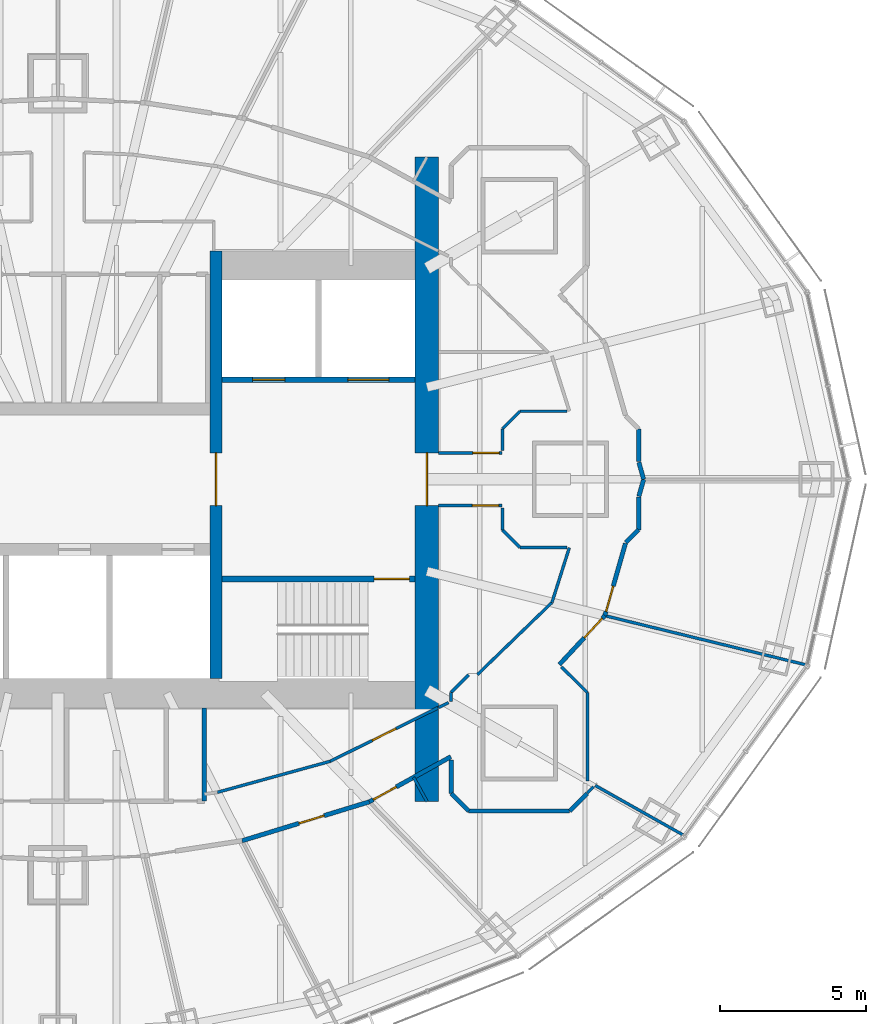
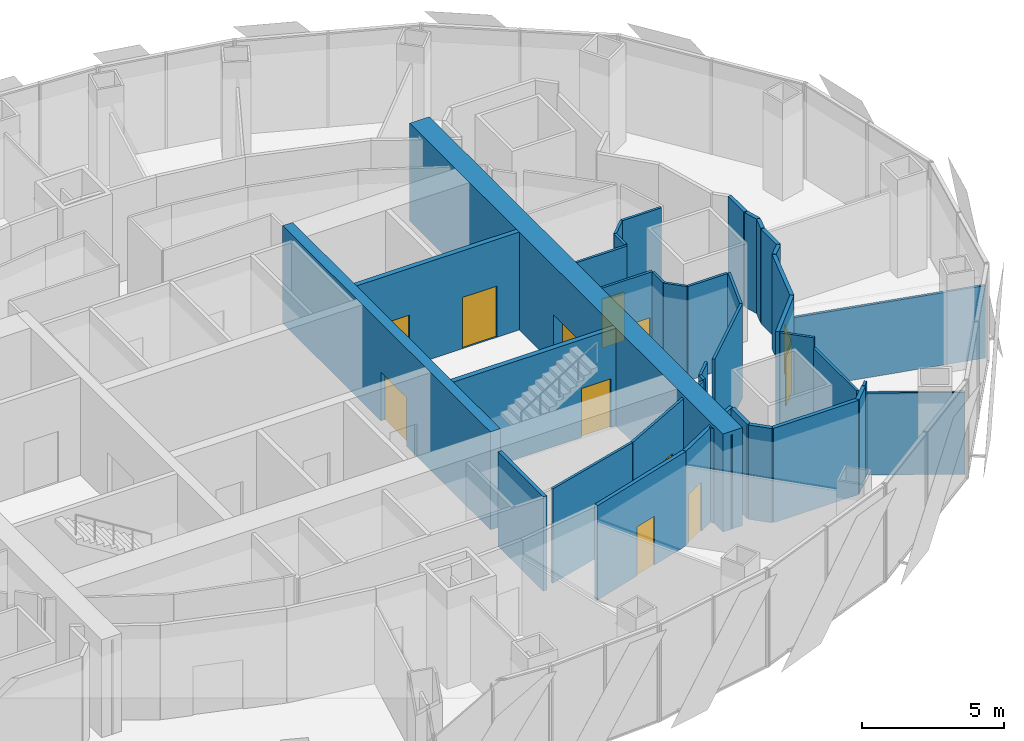
# One storey, part 14 of 19: 39 walls, 12 doors, 12 openings.
"""IFC4 building model written with IfcOpenShell, lengths in metres."""

from ifc_helpers import new_model, si_unit, direction, frame, frame_2d, origin, place, context, subcontext, project, spatial, rectangle, extrude, material, layer, layer_set, type_object, element, fill, save


model = new_model("IFC4")

# Units and contexts
model_context = context("Model", 3, precision=1e-05, world=origin(), true_north=direction((0.0, 1.0)))
body_context = subcontext(model_context, "Body", "Model", "MODEL_VIEW")
ifc_project = project(units=[si_unit("LENGTHUNIT", "METRE"), si_unit("AREAUNIT", "SQUARE_METRE"), si_unit("VOLUMEUNIT", "CUBIC_METRE"), si_unit("PLANEANGLEUNIT", "RADIAN"), si_unit("MASSUNIT", "GRAM", prefix="KILO")], contexts=[model_context])

# Site, building, storey
site_placement = place(None, origin())
site = spatial("IfcSite", under=ifc_project, at=site_placement, CompositionType="ELEMENT")
building_placement = place(site_placement, origin())
building = spatial("IfcBuilding", under=site, at=building_placement, Name="Lantaw Convention Tower", CompositionType="ELEMENT")
storey_placement = place(building_placement, frame((0.0, 0.0, 253.60009765625)))
storey = spatial("IfcBuildingStorey", under=building, at=storey_placement, Name="L59", CompositionType="ELEMENT", Elevation=253.60009765625)

# Wall, opening, door
ifc_material_1 = material(Name="Concrete C60/75", Category="concrete")
ifc_layer_1 = layer(ifc_material_1, 0.199951171875)
ifc_layer_set_1 = layer_set([ifc_layer_1], Name="Core wall 200")
wall_type_1 = type_object("IfcWallType", Name="Core wall 200", PredefinedType="SHEAR", material=ifc_layer_set_1)
wall_1_placement = place(storey_placement, frame((5.60009765625, -3.39990234375, 0.0), z_axis=(0.0, 0.0, 1.0), x_axis=(1.0, 0.0, 0.0)))
wall_1 = element("IfcWall", 1, at=wall_1_placement, inside=storey, type_object=wall_type_1, Name="Core wall ES", PredefinedType="SHEAR", context=body_context, shape_type="SweptSolid", body=[
    extrude(rectangle(XDim=6.599853515625, YDim=0.199951171875, at=frame_2d((3.2998046875, 0.0))), origin(), (0.0, 0.0, 1.0), 4.199951171875),
])
opening_1_placement = place(wall_1_placement, frame((5.199951171875, 0.0, 0.0)))
opening_1 = element("IfcOpeningElement", 2, at=opening_1_placement, cuts=wall_1, Name="Opening L59.03", PredefinedType="OPENING", context=body_context, shape_type="SweptSolid", body=[
    extrude(rectangle(XDim=1.199951171875, YDim=2.10009765625, at=frame_2d((0.60009765625, 1.050048828125))), frame((0.0, 0.10986328125, 0.0), z_axis=(0.0, -1.0, 0.0), x_axis=(1.0, 0.0, 0.0)), (0.0, 0.0, 1.0), 0.219970703125),
])
ifc_material_2 = material(Name="Steel, fire rated", Category="steel")
door_type_1 = type_object("IfcDoorType", Name="Stair door FD90", OperationType="SINGLE_SWING_RIGHT", PredefinedType="DOOR", material=ifc_material_2)
door_1_placement = place(opening_1_placement, origin())
door_1 = element("IfcDoor", 3, at=door_1_placement, inside=storey, type_object=door_type_1, Name="Exit stair door", OperationType="SINGLE_SWING_RIGHT", OverallHeight=2.10009765625, OverallWidth=1.199951171875, PredefinedType="DOOR", context=body_context, shape_type="SweptSolid", body=[
    extrude(rectangle(XDim=1.199951171875, YDim=2.10009765625, at=frame_2d((0.60009765625, 1.050048828125))), frame((0.0, 0.02490234375, 0.0), z_axis=(0.0, -1.0, 0.0), x_axis=(1.0, 0.0, 0.0)), (0.0, 0.0, 1.0), 0.050048828125),
])
fill(opening_1, door_1)

ifc_layer_2 = layer(ifc_material_1, 0.39990234375)
ifc_layer_set_2 = layer_set([ifc_layer_2], Name="Core wall 400")
wall_type_2 = type_object("IfcWallType", Name="Core wall 400", PredefinedType="SHEAR", material=ifc_layer_set_2)
wall_2_placement = place(storey_placement, frame((5.39990234375, -6.800048828125, 0.0), z_axis=(0.0, 0.0, 1.0), x_axis=(0.0, 1.0, 0.0)))
wall_2 = element("IfcWall", 4, at=wall_2_placement, inside=storey, type_object=wall_type_2, Name="Core wall XE", PredefinedType="SHEAR", context=body_context, shape_type="SweptSolid", body=[
    extrude(rectangle(XDim=14.60009765625, YDim=0.39990234375, at=frame_2d((7.300048828125, 0.0))), origin(), (0.0, 0.0, 1.0), 4.199951171875),
])
opening_2_placement = place(wall_2_placement, frame((5.89990234375, 0.0, 0.0)))
opening_2 = element("IfcOpeningElement", 5, at=opening_2_placement, cuts=wall_2, Name="Opening L59.01", PredefinedType="OPENING", context=body_context, shape_type="SweptSolid", body=[
    extrude(rectangle(XDim=1.800048828125, YDim=2.10009765625, at=frame_2d((0.89990234375, 1.050048828125))), frame((0.0, 0.2099609375, 0.0), z_axis=(0.0, -1.0, 0.0), x_axis=(1.0, 0.0, 0.0)), (0.0, 0.0, 1.0), 0.419921875),
])
door_type_2 = type_object("IfcDoorType", Name="Lobby double door FD90", OperationType="DOUBLE_DOOR_DOUBLE_SWING", PredefinedType="DOOR", material=ifc_material_2)
door_2_placement = place(opening_2_placement, origin())
door_2 = element("IfcDoor", 6, at=door_2_placement, inside=storey, type_object=door_type_2, Name="Lift lobby door", OperationType="DOUBLE_DOOR_DOUBLE_SWING", OverallHeight=2.10009765625, OverallWidth=1.800048828125, PredefinedType="DOOR", context=body_context, shape_type="SweptSolid", body=[
    extrude(rectangle(XDim=1.800048828125, YDim=2.10009765625, at=frame_2d((0.89990234375, 1.050048828125))), frame((0.0, 0.02490234375, 0.0), z_axis=(0.0, -1.0, 0.0), x_axis=(1.0, 0.0, 0.0)), (0.0, 0.0, 1.0), 0.050048828125),
])
fill(opening_2, door_2)

ifc_layer_3 = layer(ifc_material_1, 0.800048828125)
ifc_layer_set_3 = layer_set([ifc_layer_3], Name="Core wall 800")
wall_type_3 = type_object("IfcWallType", Name="Core wall 800", PredefinedType="SHEAR", material=ifc_layer_set_3)
wall_3_placement = place(storey_placement, frame((12.60009765625, -11.0, 0.0), z_axis=(0.0, 0.0, 1.0), x_axis=(0.0, 1.0, 0.0)))
wall_3 = element("IfcWall", 7, at=wall_3_placement, inside=storey, type_object=wall_type_3, Name="Core wall E", PredefinedType="SHEAR", context=body_context, shape_type="SweptSolid", body=[
    extrude(rectangle(XDim=22.0, YDim=0.800048828125, at=frame_2d((11.0, 0.0))), origin(), (0.0, 0.0, 1.0), 4.199951171875),
])
opening_3_placement = place(wall_3_placement, frame((10.10009765625, 0.0, 0.0)))
opening_3 = element("IfcOpeningElement", 8, at=opening_3_placement, cuts=wall_3, Name="Opening L59.05", PredefinedType="OPENING", context=body_context, shape_type="SweptSolid", body=[
    extrude(rectangle(XDim=1.800048828125, YDim=2.10009765625, at=frame_2d((0.89990234375, 1.050048828125))), frame((0.0, 0.409912109375, 0.0), z_axis=(0.0, -1.0, 0.0), x_axis=(1.0, 0.0, 0.0)), (0.0, 0.0, 1.0), 0.820068359375),
])
door_3_placement = place(opening_3_placement, origin())
door_3 = element("IfcDoor", 9, at=door_3_placement, inside=storey, type_object=door_type_2, Name="Firefighting lobby door", OperationType="DOUBLE_DOOR_DOUBLE_SWING", OverallHeight=2.10009765625, OverallWidth=1.800048828125, PredefinedType="DOOR", context=body_context, shape_type="SweptSolid", body=[
    extrude(rectangle(XDim=1.800048828125, YDim=2.10009765625, at=frame_2d((0.89990234375, 1.050048828125))), frame((0.0, 0.02490234375, 0.0), z_axis=(0.0, -1.0, 0.0), x_axis=(1.0, 0.0, 0.0)), (0.0, 0.0, 1.0), 0.050048828125),
])
fill(opening_3, door_3)

ifc_material_3 = material(Name="Gypsum board on steel studs, fire rated", Category="steel")
ifc_layer_4 = layer(ifc_material_3, 0.14990234375)
ifc_layer_set_4 = layer_set([ifc_layer_4], Name="Corridor wall 150 EI 60")
wall_type_4 = type_object("IfcWallType", Name="Corridor wall 150 EI 60", PredefinedType="PARTITIONING", material=ifc_layer_set_4)
wall_4_placement = place(storey_placement, frame((6.287841796875, -12.3408203125, 0.0), z_axis=(0.0, 0.0, 1.0), x_axis=(0.956185837153, 0.292760388079, 0.0)))
wall_4 = element("IfcWall", 10, at=wall_4_placement, inside=storey, type_object=wall_type_4, Name="Corridor wall 150", PredefinedType="PARTITIONING", context=body_context, shape_type="SweptSolid", body=[
    extrude(rectangle(XDim=4.5439453125, YDim=0.14990234375, at=frame_2d((2.27197265625, 0.0))), origin(), (0.0, 0.0, 1.0), 4.0498046875),
])
opening_4_placement = place(wall_4_placement, frame((2.031005859375, 0.0, 0.0)))
opening_4 = element("IfcOpeningElement", 11, at=opening_4_placement, cuts=wall_4, Name="Opening L59.45", PredefinedType="OPENING", context=body_context, shape_type="SweptSolid", body=[
    extrude(rectangle(XDim=0.89990234375, YDim=2.10009765625, at=frame_2d((0.449951171875, 1.050048828125))), frame((0.0, 0.0849609375, 0.0), z_axis=(0.0, -1.0, 0.0), x_axis=(1.0, 0.0, 0.0)), (0.0, 0.0, 1.0), 0.169921875),
])
door_type_3 = type_object("IfcDoorType", Name="Office door 900 FD30", OperationType="SINGLE_SWING_LEFT", PredefinedType="DOOR", material=ifc_material_2)
door_4_placement = place(opening_4_placement, origin())
door_4 = element("IfcDoor", 12, at=door_4_placement, inside=storey, type_object=door_type_3, Name="Private office door", OperationType="SINGLE_SWING_LEFT", OverallHeight=2.10009765625, OverallWidth=0.89990234375, PredefinedType="DOOR", context=body_context, shape_type="SweptSolid", body=[
    extrude(rectangle(XDim=0.89990234375, YDim=2.10009765625, at=frame_2d((0.449951171875, 1.050048828125))), frame((0.0, 0.02490234375, 0.0), z_axis=(0.0, -1.0, 0.0), x_axis=(1.0, 0.0, 0.0)), (0.0, 0.0, 1.0), 0.050048828125),
])
fill(opening_4, door_4)

wall_5_placement = place(storey_placement, frame((10.6328125, -11.010498046875, 0.0), z_axis=(0.0, 0.0, 1.0), x_axis=(0.875072100837, 0.483992580869, 0.0)))
wall_5 = element("IfcWall", 13, at=wall_5_placement, inside=storey, type_object=wall_type_4, Name="Corridor wall 150", PredefinedType="PARTITIONING", context=body_context, shape_type="SweptSolid", body=[
    extrude(rectangle(XDim=3.179443359375, YDim=0.14990234375, at=frame_2d((1.58984375, 0.0))), origin(), (0.0, 0.0, 1.0), 4.0498046875),
])
opening_5_placement = place(wall_5_placement, frame((0.14990234375, 0.0, 0.0)))
opening_5 = element("IfcOpeningElement", 14, at=opening_5_placement, cuts=wall_5, Name="Opening L59.46", PredefinedType="OPENING", context=body_context, shape_type="SweptSolid", body=[
    extrude(rectangle(XDim=0.89990234375, YDim=2.10009765625, at=frame_2d((0.449951171875, 1.050048828125))), frame((0.0, 0.0849609375, 0.0), z_axis=(0.0, -1.0, 0.0), x_axis=(1.0, 0.0, 0.0)), (0.0, 0.0, 1.0), 0.169921875),
])
door_5_placement = place(opening_5_placement, origin())
door_5 = element("IfcDoor", 15, at=door_5_placement, inside=storey, type_object=door_type_3, Name="Private office door", OperationType="SINGLE_SWING_LEFT", OverallHeight=2.10009765625, OverallWidth=0.89990234375, PredefinedType="DOOR", context=body_context, shape_type="SweptSolid", body=[
    extrude(rectangle(XDim=0.89990234375, YDim=2.10009765625, at=frame_2d((0.449951171875, 1.050048828125))), frame((0.0, 0.02490234375, 0.0), z_axis=(0.0, -1.0, 0.0), x_axis=(1.0, 0.0, 0.0)), (0.0, 0.0, 1.0), 0.050048828125),
])
fill(opening_5, door_5)

wall_6_placement = place(storey_placement, frame((17.121337890625, -6.32470703125, 0.0), z_axis=(0.0, 0.0, 1.0), x_axis=(0.680985069419, 0.732297299755, 0.0)))
wall_6 = element("IfcWall", 16, at=wall_6_placement, inside=storey, type_object=wall_type_4, Name="Corridor wall 150", PredefinedType="PARTITIONING", context=body_context, shape_type="SweptSolid", body=[
    extrude(rectangle(XDim=2.279052734375, YDim=0.14990234375, at=frame_2d((1.1396484375, 0.0))), origin(), (0.0, 0.0, 1.0), 4.0498046875),
])
opening_6_placement = place(wall_6_placement, frame((1.25, 0.0, 0.0)))
opening_6 = element("IfcOpeningElement", 17, at=opening_6_placement, cuts=wall_6, Name="Opening L59.47", PredefinedType="OPENING", context=body_context, shape_type="SweptSolid", body=[
    extrude(rectangle(XDim=0.89990234375, YDim=2.10009765625, at=frame_2d((0.449951171875, 1.050048828125))), frame((0.0, 0.0849609375, 0.0), z_axis=(0.0, -1.0, 0.0), x_axis=(1.0, 0.0, 0.0)), (0.0, 0.0, 1.0), 0.169921875),
])
door_6_placement = place(opening_6_placement, origin())
door_6 = element("IfcDoor", 18, at=door_6_placement, inside=storey, type_object=door_type_3, Name="Pantry door", OperationType="SINGLE_SWING_LEFT", OverallHeight=2.10009765625, OverallWidth=0.89990234375, PredefinedType="DOOR", context=body_context, shape_type="SweptSolid", body=[
    extrude(rectangle(XDim=0.89990234375, YDim=2.10009765625, at=frame_2d((0.449951171875, 1.050048828125))), frame((0.0, 0.02490234375, 0.0), z_axis=(0.0, -1.0, 0.0), x_axis=(1.0, 0.0, 0.0)), (0.0, 0.0, 1.0), 0.050048828125),
])
fill(opening_6, door_6)

# Walls
wall_7_placement = place(storey_placement, frame((18.074951171875, -10.724609375, 0.0), z_axis=(0.0, 0.0, 1.0), x_axis=(-0.707106781187, -0.707106781187, 0.0)))
element("IfcWall", 19, at=wall_7_placement, inside=storey, type_object=wall_type_4, Name="Corridor wall 150", PredefinedType="PARTITIONING", context=body_context, shape_type="SweptSolid", body=[
    extrude(rectangle(XDim=0.84912109375, YDim=0.14990234375, at=frame_2d((0.424560546875, 0.0))), origin(), (0.0, 0.0, 1.0), 4.0498046875),
])
wall_8_placement = place(storey_placement, frame((17.474609375, -11.324951171875, 0.0), z_axis=(0.0, 0.0, 1.0), x_axis=(-1.0, 0.0, 0.0)))
element("IfcWall", 20, at=wall_8_placement, inside=storey, type_object=wall_type_4, Name="Corridor wall 150", PredefinedType="PARTITIONING", context=body_context, shape_type="SweptSolid", body=[
    extrude(rectangle(XDim=3.44921875, YDim=0.14990234375, at=frame_2d((1.724609375, 0.0))), origin(), (0.0, 0.0, 1.0), 4.0498046875),
])
wall_9_placement = place(storey_placement, frame((14.025390625, -11.324951171875, 0.0), z_axis=(0.0, 0.0, 1.0), x_axis=(-0.707106781187, 0.707106781187, 0.0)))
element("IfcWall", 21, at=wall_9_placement, inside=storey, type_object=wall_type_4, Name="Corridor wall 150", PredefinedType="PARTITIONING", context=body_context, shape_type="SweptSolid", body=[
    extrude(rectangle(XDim=0.84912109375, YDim=0.14990234375, at=frame_2d((0.424560546875, 0.0))), origin(), (0.0, 0.0, 1.0), 4.0498046875),
])
wall_10_placement = place(storey_placement, frame((13.425048828125, -10.724609375, 0.0), z_axis=(0.0, 0.0, 1.0), x_axis=(0.0, 1.0, 0.0)))
element("IfcWall", 22, at=wall_10_placement, inside=storey, type_object=wall_type_4, Name="Corridor wall 150", PredefinedType="PARTITIONING", context=body_context, shape_type="SweptSolid", body=[
    extrude(rectangle(XDim=1.138427734375, YDim=0.14990234375, at=frame_2d((0.5693359375, 0.0))), origin(), (0.0, 0.0, 1.0), 4.0498046875),
])
wall_11_placement = place(storey_placement, frame((20.0, 0.0, 0.0), z_axis=(0.0, 0.0, 1.0), x_axis=(-0.27407847996, 0.961707329089, 0.0)))
element("IfcWall", 23, at=wall_11_placement, inside=storey, type_object=wall_type_4, Name="Corridor wall 150", PredefinedType="PARTITIONING", context=body_context, shape_type="SweptSolid", body=[
    extrude(rectangle(XDim=0.60205078125, YDim=0.14990234375, at=frame_2d((0.301025390625, 0.0))), origin(), (0.0, 0.0, 1.0), 4.0498046875),
])

# Wall, opening, door
wall_12_placement = place(storey_placement, frame((18.67333984375, -4.65576171875, 0.0), z_axis=(0.0, 0.0, 1.0), x_axis=(0.274067949327, 0.961710330168, 0.0)))
wall_12 = element("IfcWall", 24, at=wall_12_placement, inside=storey, type_object=wall_type_4, Name="Corridor wall 150", PredefinedType="PARTITIONING", context=body_context, shape_type="SweptSolid", body=[
    extrude(rectangle(XDim=2.5673828125, YDim=0.14990234375, at=frame_2d((1.28369140625, 0.0))), origin(), (0.0, 0.0, 1.0), 4.0498046875),
])
opening_7_placement = place(wall_12_placement, frame((0.14990234375, 0.0, 0.0)))
opening_7 = element("IfcOpeningElement", 25, at=opening_7_placement, cuts=wall_12, Name="Opening L59.48", PredefinedType="OPENING", context=body_context, shape_type="SweptSolid", body=[
    extrude(rectangle(XDim=0.89990234375, YDim=2.10009765625, at=frame_2d((0.449951171875, 1.050048828125))), frame((0.0, 0.0849609375, 0.0), z_axis=(0.0, -1.0, 0.0), x_axis=(1.0, 0.0, 0.0)), (0.0, 0.0, 1.0), 0.169921875),
])
door_7_placement = place(opening_7_placement, origin())
door_7 = element("IfcDoor", 26, at=door_7_placement, inside=storey, type_object=door_type_3, Name="Quiet room door", OperationType="SINGLE_SWING_LEFT", OverallHeight=2.10009765625, OverallWidth=0.89990234375, PredefinedType="DOOR", context=body_context, shape_type="SweptSolid", body=[
    extrude(rectangle(XDim=0.89990234375, YDim=2.10009765625, at=frame_2d((0.449951171875, 1.050048828125))), frame((0.0, 0.02490234375, 0.0), z_axis=(0.0, -1.0, 0.0), x_axis=(1.0, 0.0, 0.0)), (0.0, 0.0, 1.0), 0.050048828125),
])
fill(opening_7, door_7)

# Walls
wall_13_placement = place(storey_placement, frame((19.8349609375, -0.5791015625, 0.0), z_axis=(0.0, 0.0, 1.0), x_axis=(0.27407847996, 0.961707329089, 0.0)))
element("IfcWall", 27, at=wall_13_placement, inside=storey, type_object=wall_type_4, Name="Corridor wall 150", PredefinedType="PARTITIONING", context=body_context, shape_type="SweptSolid", body=[
    extrude(rectangle(XDim=0.60205078125, YDim=0.14990234375, at=frame_2d((0.301025390625, 0.0))), origin(), (0.0, 0.0, 1.0), 4.0498046875),
])
for number, where, z_axis, x_axis, name in (
    (28, (19.824951171875, 1.724609375, 0.0), (0.0, 0.0, 1.0), (0.0, -1.0, 0.0), "Corridor wall 150"),
    (29, (19.824951171875, -0.607421875, 0.0), (0.0, 0.0, 1.0), (0.0, -1.0, 0.0), "Corridor wall 150"),
):
    element("IfcWall", number, at=place(storey_placement, frame(where, z_axis=z_axis, x_axis=x_axis)), inside=storey, type_object=wall_type_4, Name=name, PredefinedType="PARTITIONING", context=body_context, shape_type="SweptSolid", body=[
        extrude(rectangle(XDim=1.1171875, YDim=0.14990234375, at=frame_2d((0.55859375, 0.0))), origin(), (0.0, 0.0, 1.0), 4.0498046875),
    ])
wall_14_placement = place(storey_placement, frame((19.824951171875, -1.724609375, 0.0), z_axis=(0.0, 0.0, 1.0), x_axis=(-0.707106781187, -0.707106781187, 0.0)))
element("IfcWall", 30, at=wall_14_placement, inside=storey, type_object=wall_type_4, Name="Corridor wall 150", PredefinedType="PARTITIONING", context=body_context, shape_type="SweptSolid", body=[
    extrude(rectangle(XDim=0.614990234375, YDim=0.14990234375, at=frame_2d((0.3076171875, 0.0))), origin(), (0.0, 0.0, 1.0), 4.0498046875),
])
ifc_material_4 = material(Name="Gypsum board on steel studs, acoustic", Category="steel")
ifc_layer_5 = layer(ifc_material_4, 0.10009765625)
ifc_layer_set_5 = layer_set([ifc_layer_5], Name="Office partition 100")
wall_type_5 = type_object("IfcWallType", Name="Office partition 100", PredefinedType="PARTITIONING", material=ifc_layer_set_5)
wall_15_placement = place(storey_placement, frame((25.54296875, -6.33544921875, 0.0), z_axis=(0.0, 0.0, 1.0), x_axis=(-0.971384494438, 0.237512450129, 0.0)))
element("IfcWall", 31, at=wall_15_placement, inside=storey, type_object=wall_type_5, Name="Office partition 100", PredefinedType="PARTITIONING", context=body_context, shape_type="SweptSolid", body=[
    extrude(rectangle(XDim=7.072021484375, YDim=0.10009765625, at=frame_2d((3.5361328125, 0.0))), origin(), (0.0, 0.0, 1.0), 3.107666015625),
])

# Wall, opening, door
wall_16_placement = place(storey_placement, frame((12.976806640625, -7.800048828125, 0.0), z_axis=(0.0, 0.0, 1.0), x_axis=(-0.895529831139, -0.445001484874, 0.0)))
wall_16 = element("IfcWall", 32, at=wall_16_placement, inside=storey, type_object=wall_type_5, Name="Office partition 100", PredefinedType="PARTITIONING", context=body_context, shape_type="SweptSolid", body=[
    extrude(rectangle(XDim=4.108154296875, YDim=0.10009765625, at=frame_2d((2.05419921875, 0.0))), origin(), (0.0, 0.0, 1.0), 4.0498046875),
])
opening_8_placement = place(wall_16_placement, frame((1.60400390625, 0.0, 0.0)))
opening_8 = element("IfcOpeningElement", 33, at=opening_8_placement, cuts=wall_16, Name="Opening L59.25", PredefinedType="OPENING", context=body_context, shape_type="SweptSolid", body=[
    extrude(rectangle(XDim=0.89990234375, YDim=2.10009765625, at=frame_2d((0.449951171875, 1.050048828125))), frame((0.0, 0.06005859375, 0.0), z_axis=(0.0, -1.0, 0.0), x_axis=(1.0, 0.0, 0.0)), (0.0, 0.0, 1.0), 0.1201171875),
])
ifc_material_5 = material(Name="Timber", Category="wood")
door_type_4 = type_object("IfcDoorType", Name="Office door 900", OperationType="SINGLE_SWING_LEFT", PredefinedType="DOOR", material=ifc_material_5)
door_8_placement = place(opening_8_placement, origin())
door_8 = element("IfcDoor", 34, at=door_8_placement, inside=storey, type_object=door_type_4, Name="Meeting room door", OperationType="SINGLE_SWING_LEFT", OverallHeight=2.10009765625, OverallWidth=0.89990234375, PredefinedType="DOOR", context=body_context, shape_type="SweptSolid", body=[
    extrude(rectangle(XDim=0.89990234375, YDim=2.10009765625, at=frame_2d((0.449951171875, 1.050048828125))), frame((0.0, 0.02490234375, 0.0), z_axis=(0.0, -1.0, 0.0), x_axis=(1.0, 0.0, 0.0)), (0.0, 0.0, 1.0), 0.050048828125),
])
fill(opening_8, door_8)

# Walls
wall_17_placement = place(storey_placement, frame((9.2978515625, -9.628173828125, 0.0), z_axis=(0.0, 0.0, 1.0), x_axis=(-0.964244438722, -0.265014456954, 0.0)))
element("IfcWall", 35, at=wall_17_placement, inside=storey, type_object=wall_type_5, Name="Office partition 100", PredefinedType="PARTITIONING", context=body_context, shape_type="SweptSolid", body=[
    extrude(rectangle(XDim=3.995361328125, YDim=0.10009765625, at=frame_2d((1.99755859375, 0.0))), origin(), (0.0, 0.0, 1.0), 4.0498046875),
])
wall_18_placement = place(storey_placement, frame((13.3369140625, -7.62109375, 0.0), z_axis=(0.0, 0.0, 1.0), x_axis=(-0.895721570004, -0.444615416995, 0.0)))
element("IfcWall", 36, at=wall_18_placement, inside=storey, type_object=wall_type_5, Name="Office partition 100", PredefinedType="PARTITIONING", context=body_context, shape_type="SweptSolid", body=[
    extrude(rectangle(XDim=0.376220703125, YDim=0.10009765625, at=frame_2d((0.18798828125, 0.0))), origin(), (0.0, 0.0, 1.0), 4.0498046875),
])
wall_19_placement = place(storey_placement, frame((12.60009765625, -11.0, 0.0), z_axis=(0.0, 0.0, 1.0), x_axis=(-0.484103558985, 0.875010710893, 0.0)))
element("IfcWall", 37, at=wall_19_placement, inside=storey, type_object=wall_type_5, Name="Office partition 100", PredefinedType="PARTITIONING", context=body_context, shape_type="SweptSolid", body=[
    extrude(rectangle(XDim=0.943115234375, YDim=0.10009765625, at=frame_2d((0.4716796875, 0.0))), origin(), (0.0, 0.0, 1.0), 4.0498046875),
])
wall_20_placement = place(storey_placement, frame((21.3583984375, -12.149658203125, 0.0), z_axis=(0.0, 0.0, 1.0), x_axis=(-0.871494482514, 0.49040530885, 0.0)))
element("IfcWall", 38, at=wall_20_placement, inside=storey, type_object=wall_type_5, Name="Office partition 100", PredefinedType="PARTITIONING", context=body_context, shape_type="SweptSolid", body=[
    extrude(rectangle(XDim=3.45947265625, YDim=0.10009765625, at=frame_2d((1.729736328125, 0.0))), origin(), (0.0, 0.0, 1.0), 3.521484375),
])
wall_21_placement = place(storey_placement, frame((16.8681640625, -4.205810546875, 0.0), z_axis=(0.0, 0.0, 1.0), x_axis=(-0.718810161381, -0.695206409562, 0.0)))
element("IfcWall", 39, at=wall_21_placement, inside=storey, type_object=wall_type_5, Name="Office partition 100", PredefinedType="PARTITIONING", context=body_context, shape_type="SweptSolid", body=[
    extrude(rectangle(XDim=3.537353515625, YDim=0.10009765625, at=frame_2d((1.7685546875, 0.0))), origin(), (0.0, 0.0, 1.0), 4.0498046875),
])
wall_22_placement = place(storey_placement, frame((13.425048828125, -7.57763671875, 0.0), z_axis=(0.0, 0.0, 1.0), x_axis=(0.0, 1.0, 0.0)))
element("IfcWall", 40, at=wall_22_placement, inside=storey, type_object=wall_type_5, Name="Office partition 100", PredefinedType="PARTITIONING", context=body_context, shape_type="SweptSolid", body=[
    extrude(rectangle(XDim=0.30224609375, YDim=0.10009765625, at=frame_2d((0.151123046875, 0.0))), origin(), (0.0, 0.0, 1.0), 4.0498046875),
])
wall_23_placement = place(storey_placement, frame((13.425048828125, -7.275390625, 0.0), z_axis=(0.0, 0.0, 1.0), x_axis=(0.707106781187, 0.707106781187, 0.0)))
element("IfcWall", 41, at=wall_23_placement, inside=storey, type_object=wall_type_5, Name="Office partition 100", PredefinedType="PARTITIONING", context=body_context, shape_type="SweptSolid", body=[
    extrude(rectangle(XDim=0.84912109375, YDim=0.10009765625, at=frame_2d((0.424560546875, 0.0))), origin(), (0.0, 0.0, 1.0), 4.0498046875),
])
wall_24_placement = place(storey_placement, frame((18.289306640625, -10.493408203125, 0.0), z_axis=(0.0, 0.0, 1.0), x_axis=(-0.707509576179, -0.706703756616, 0.0)))
element("IfcWall", 42, at=wall_24_placement, inside=storey, type_object=wall_type_5, Name="Office partition 100", PredefinedType="PARTITIONING", context=body_context, shape_type="SweptSolid", body=[
    extrude(rectangle(XDim=0.302978515625, YDim=0.10009765625, at=frame_2d((0.1513671875, 0.0))), origin(), (0.0, 0.0, 1.0), 4.0498046875),
])
wall_25_placement = place(storey_placement, frame((17.1865234375, -6.40380859375, 0.0), z_axis=(0.0, 0.0, 1.0), x_axis=(0.713842064016, -0.700306723973, 0.0)))
element("IfcWall", 43, at=wall_25_placement, inside=storey, type_object=wall_type_5, Name="Office partition 100", PredefinedType="PARTITIONING", context=body_context, shape_type="SweptSolid", body=[
    extrude(rectangle(XDim=1.24462890625, YDim=0.10009765625, at=frame_2d((0.622314453125, 0.0))), origin(), (0.0, 0.0, 1.0), 4.0498046875),
])
wall_26_placement = place(storey_placement, frame((18.074951171875, -7.275390625, 0.0), z_axis=(0.0, 0.0, 1.0), x_axis=(0.0, -1.0, 0.0)))
element("IfcWall", 44, at=wall_26_placement, inside=storey, type_object=wall_type_5, Name="Office partition 100", PredefinedType="PARTITIONING", context=body_context, shape_type="SweptSolid", body=[
    extrude(rectangle(XDim=3.026611328125, YDim=0.10009765625, at=frame_2d((1.51318359375, 0.0))), origin(), (0.0, 0.0, 1.0), 3.600341796875),
])

# Wall, opening, door
wall_27_placement = place(storey_placement, frame((13.0, -0.89990234375, 0.0), z_axis=(0.0, 0.0, 1.0), x_axis=(1.0, 0.0, 0.0)))
wall_27 = element("IfcWall", 45, at=wall_27_placement, inside=storey, type_object=wall_type_5, Name="Office partition 100", PredefinedType="PARTITIONING", context=body_context, shape_type="SweptSolid", body=[
    extrude(rectangle(XDim=2.1650390625, YDim=0.10009765625, at=frame_2d((1.08251953125, 0.0))), origin(), (0.0, 0.0, 1.0), 4.0498046875),
])
opening_9_placement = place(wall_27_placement, frame((1.14990234375, 0.0, 0.0)))
opening_9 = element("IfcOpeningElement", 46, at=opening_9_placement, cuts=wall_27, Name="Opening L59.26", PredefinedType="OPENING", context=body_context, shape_type="SweptSolid", body=[
    extrude(rectangle(XDim=0.89990234375, YDim=2.10009765625, at=frame_2d((0.449951171875, 1.050048828125))), frame((0.0, 0.06005859375, 0.0), z_axis=(0.0, -1.0, 0.0), x_axis=(1.0, 0.0, 0.0)), (0.0, 0.0, 1.0), 0.1201171875),
])
door_9_placement = place(opening_9_placement, origin())
door_9 = element("IfcDoor", 47, at=door_9_placement, inside=storey, type_object=door_type_4, Name="Copy and print room door", OperationType="SINGLE_SWING_LEFT", OverallHeight=2.10009765625, OverallWidth=0.89990234375, PredefinedType="DOOR", context=body_context, shape_type="SweptSolid", body=[
    extrude(rectangle(XDim=0.89990234375, YDim=2.10009765625, at=frame_2d((0.449951171875, 1.050048828125))), frame((0.0, 0.02490234375, 0.0), z_axis=(0.0, -1.0, 0.0), x_axis=(1.0, 0.0, 0.0)), (0.0, 0.0, 1.0), 0.050048828125),
])
fill(opening_9, door_9)

# Wall
wall_28_placement = place(storey_placement, frame((17.46044921875, -2.3349609375, 0.0), z_axis=(0.0, 0.0, 1.0), x_axis=(-0.301821975729, -0.953364303384, 0.0)))
element("IfcWall", 48, at=wall_28_placement, inside=storey, type_object=wall_type_5, Name="Office partition 100", PredefinedType="PARTITIONING", context=body_context, shape_type="SweptSolid", body=[
    extrude(rectangle(XDim=1.96240234375, YDim=0.10009765625, at=frame_2d((0.981201171875, 0.0))), origin(), (0.0, 0.0, 1.0), 4.0498046875),
])

# Wall, opening, door
wall_29_placement = place(storey_placement, frame((15.1650390625, 0.89990234375, 0.0), z_axis=(0.0, 0.0, 1.0), x_axis=(-1.0, 0.0, 0.0)))
wall_29 = element("IfcWall", 49, at=wall_29_placement, inside=storey, type_object=wall_type_5, Name="Office partition 100", PredefinedType="PARTITIONING", context=body_context, shape_type="SweptSolid", body=[
    extrude(rectangle(XDim=2.1650390625, YDim=0.10009765625, at=frame_2d((1.08251953125, 0.0))), origin(), (0.0, 0.0, 1.0), 4.0498046875),
])
opening_10_placement = place(wall_29_placement, frame((0.10009765625, 0.0, 0.0)))
opening_10 = element("IfcOpeningElement", 50, at=opening_10_placement, cuts=wall_29, Name="Opening L59.27", PredefinedType="OPENING", context=body_context, shape_type="SweptSolid", body=[
    extrude(rectangle(XDim=0.89990234375, YDim=2.10009765625, at=frame_2d((0.449951171875, 1.050048828125))), frame((0.0, 0.06005859375, 0.0), z_axis=(0.0, -1.0, 0.0), x_axis=(1.0, 0.0, 0.0)), (0.0, 0.0, 1.0), 0.1201171875),
])
door_10_placement = place(opening_10_placement, origin())
door_10 = element("IfcDoor", 51, at=door_10_placement, inside=storey, type_object=door_type_4, Name="Project room door", OperationType="SINGLE_SWING_LEFT", OverallHeight=2.10009765625, OverallWidth=0.89990234375, PredefinedType="DOOR", context=body_context, shape_type="SweptSolid", body=[
    extrude(rectangle(XDim=0.89990234375, YDim=2.10009765625, at=frame_2d((0.449951171875, 1.050048828125))), frame((0.0, 0.02490234375, 0.0), z_axis=(0.0, -1.0, 0.0), x_axis=(1.0, 0.0, 0.0)), (0.0, 0.0, 1.0), 0.050048828125),
])
fill(opening_10, door_10)

# Walls
wall_30_placement = place(storey_placement, frame((15.175048828125, -1.724609375, 0.0), z_axis=(0.0, 0.0, 1.0), x_axis=(0.0, 1.0, 0.0)))
element("IfcWall", 52, at=wall_30_placement, inside=storey, type_object=wall_type_5, Name="Office partition 100", PredefinedType="PARTITIONING", context=body_context, shape_type="SweptSolid", body=[
    extrude(rectangle(XDim=0.746337890625, YDim=0.10009765625, at=frame_2d((0.373046875, 0.0))), origin(), (0.0, 0.0, 1.0), 4.0498046875),
])
wall_31_placement = place(storey_placement, frame((17.3798828125, -2.324951171875, 0.0), z_axis=(0.0, 0.0, 1.0), x_axis=(-1.0, 0.0, 0.0)))
element("IfcWall", 53, at=wall_31_placement, inside=storey, type_object=wall_type_5, Name="Office partition 100", PredefinedType="PARTITIONING", context=body_context, shape_type="SweptSolid", body=[
    extrude(rectangle(XDim=1.6044921875, YDim=0.10009765625, at=frame_2d((0.80224609375, 0.0))), origin(), (0.0, 0.0, 1.0), 4.0498046875),
])
wall_32_placement = place(storey_placement, frame((15.775390625, -2.324951171875, 0.0), z_axis=(0.0, 0.0, 1.0), x_axis=(-0.707106781187, 0.707106781187, 0.0)))
element("IfcWall", 54, at=wall_32_placement, inside=storey, type_object=wall_type_5, Name="Office partition 100", PredefinedType="PARTITIONING", context=body_context, shape_type="SweptSolid", body=[
    extrude(rectangle(XDim=0.84912109375, YDim=0.10009765625, at=frame_2d((0.424560546875, 0.0))), origin(), (0.0, 0.0, 1.0), 4.0498046875),
])
wall_33_placement = place(storey_placement, frame((15.175048828125, 0.978271484375, 0.0), z_axis=(0.0, 0.0, 1.0), x_axis=(0.0, 1.0, 0.0)))
element("IfcWall", 55, at=wall_33_placement, inside=storey, type_object=wall_type_5, Name="Office partition 100", PredefinedType="PARTITIONING", context=body_context, shape_type="SweptSolid", body=[
    extrude(rectangle(XDim=0.746337890625, YDim=0.10009765625, at=frame_2d((0.373046875, 0.0))), origin(), (0.0, 0.0, 1.0), 4.0498046875),
])
wall_34_placement = place(storey_placement, frame((15.175048828125, 1.724609375, 0.0), z_axis=(0.0, 0.0, 1.0), x_axis=(0.707106781187, 0.707106781187, 0.0)))
element("IfcWall", 56, at=wall_34_placement, inside=storey, type_object=wall_type_5, Name="Office partition 100", PredefinedType="PARTITIONING", context=body_context, shape_type="SweptSolid", body=[
    extrude(rectangle(XDim=0.84912109375, YDim=0.10009765625, at=frame_2d((0.424560546875, 0.0))), origin(), (0.0, 0.0, 1.0), 4.0498046875),
])
wall_35_placement = place(storey_placement, frame((15.775390625, 2.324951171875, 0.0), z_axis=(0.0, 0.0, 1.0), x_axis=(1.0, 0.0, 0.0)))
element("IfcWall", 57, at=wall_35_placement, inside=storey, type_object=wall_type_5, Name="Office partition 100", PredefinedType="PARTITIONING", context=body_context, shape_type="SweptSolid", body=[
    extrude(rectangle(XDim=1.6044921875, YDim=0.10009765625, at=frame_2d((0.80224609375, 0.0))), origin(), (0.0, 0.0, 1.0), 4.0498046875),
])

# Wall, openings, doors
ifc_material_6 = material(Name="Concrete blockwork, fire rated", Category="masonry")
ifc_layer_6 = layer(ifc_material_6, 0.199951171875)
ifc_layer_set_6 = layer_set([ifc_layer_6], Name="Shaft wall 200")
wall_type_6 = type_object("IfcWallType", Name="Shaft wall 200", PredefinedType="SOLIDWALL", material=ifc_layer_set_6)
wall_36_placement = place(storey_placement, frame((12.199951171875, 3.39990234375, 0.0), z_axis=(0.0, 0.0, 1.0), x_axis=(-1.0, 0.0, 0.0)))
wall_36 = element("IfcWall", 58, at=wall_36_placement, inside=storey, type_object=wall_type_6, Name="Shaft wall EN", PredefinedType="SOLIDWALL", context=body_context, shape_type="SweptSolid", body=[
    extrude(rectangle(XDim=6.599853515625, YDim=0.199951171875, at=frame_2d((3.2998046875, 0.0))), origin(), (0.0, 0.0, 1.0), 4.199951171875),
])
opening_11_placement = place(wall_36_placement, frame((4.449951171875, 0.0, 0.0)))
opening_11 = element("IfcOpeningElement", 59, at=opening_11_placement, cuts=wall_36, Name="Opening L59.12", PredefinedType="OPENING", context=body_context, shape_type="SweptSolid", body=[
    extrude(rectangle(XDim=1.10009765625, YDim=2.199951171875, at=frame_2d((0.550048828125, 1.10009765625))), frame((0.0, 0.10986328125, 0.0), z_axis=(0.0, -1.0, 0.0), x_axis=(1.0, 0.0, 0.0)), (0.0, 0.0, 1.0), 0.219970703125),
])
opening_12_placement = place(wall_36_placement, frame((0.89990234375, 0.0, 0.0)))
opening_12 = element("IfcOpeningElement", 60, at=opening_12_placement, cuts=wall_36, Name="Opening L59.13", PredefinedType="OPENING", context=body_context, shape_type="SweptSolid", body=[
    extrude(rectangle(XDim=1.39990234375, YDim=2.199951171875, at=frame_2d((0.699951171875, 1.10009765625))), frame((0.0, 0.10986328125, 0.0), z_axis=(0.0, -1.0, 0.0), x_axis=(1.0, 0.0, 0.0)), (0.0, 0.0, 1.0), 0.219970703125),
])
ifc_material_7 = material(Name="Stainless steel", Category="steel")
door_type_5 = type_object("IfcDoorType", Name="Lift landing door 1100", OperationType="DOUBLE_DOOR_SLIDING", PredefinedType="DOOR", material=ifc_material_7)
door_11_placement = place(opening_11_placement, origin())
door_11 = element("IfcDoor", 61, at=door_11_placement, inside=storey, type_object=door_type_5, Name="Lift landing door FF2", OperationType="DOUBLE_DOOR_SLIDING", OverallHeight=2.199951171875, OverallWidth=1.10009765625, PredefinedType="DOOR", context=body_context, shape_type="SweptSolid", body=[
    extrude(rectangle(XDim=1.10009765625, YDim=2.199951171875, at=frame_2d((0.550048828125, 1.10009765625))), frame((0.0, 0.02490234375, 0.0), z_axis=(0.0, -1.0, 0.0), x_axis=(1.0, 0.0, 0.0)), (0.0, 0.0, 1.0), 0.050048828125),
])
fill(opening_11, door_11)
door_type_6 = type_object("IfcDoorType", Name="Lift landing door 1400", OperationType="DOUBLE_DOOR_SLIDING", PredefinedType="DOOR", material=ifc_material_7)
door_12_placement = place(opening_12_placement, origin())
door_12 = element("IfcDoor", 62, at=door_12_placement, inside=storey, type_object=door_type_6, Name="Lift landing door SV2", OperationType="DOUBLE_DOOR_SLIDING", OverallHeight=2.199951171875, OverallWidth=1.39990234375, PredefinedType="DOOR", context=body_context, shape_type="SweptSolid", body=[
    extrude(rectangle(XDim=1.39990234375, YDim=2.199951171875, at=frame_2d((0.699951171875, 1.10009765625))), frame((0.0, 0.02490234375, 0.0), z_axis=(0.0, -1.0, 0.0), x_axis=(1.0, 0.0, 0.0)), (0.0, 0.0, 1.0), 0.050048828125),
])
fill(opening_12, door_12)

# Wall
ifc_material_8 = material(Name="Concrete blockwork", Category="masonry")
ifc_layer_7 = layer(ifc_material_8, 0.14990234375)
ifc_layer_set_7 = layer_set([ifc_layer_7], Name="WC wall 150")
wall_type_7 = type_object("IfcWallType", Name="WC wall 150", PredefinedType="SOLIDWALL", material=ifc_layer_set_7)
wall_37_placement = place(storey_placement, frame((5.0, -7.800048828125, 0.0), z_axis=(0.0, 0.0, 1.0), x_axis=(0.0, -1.0, 0.0)))
element("IfcWall", 63, at=wall_37_placement, inside=storey, type_object=wall_type_7, Name="WC wall 150", PredefinedType="SOLIDWALL", context=body_context, shape_type="SweptSolid", body=[
    extrude(rectangle(XDim=3.18701171875, YDim=0.14990234375, at=frame_2d((1.593505859375, 0.0))), origin(), (0.0, 0.0, 1.0), 4.0498046875),
])

save(model, "model.ifc")
